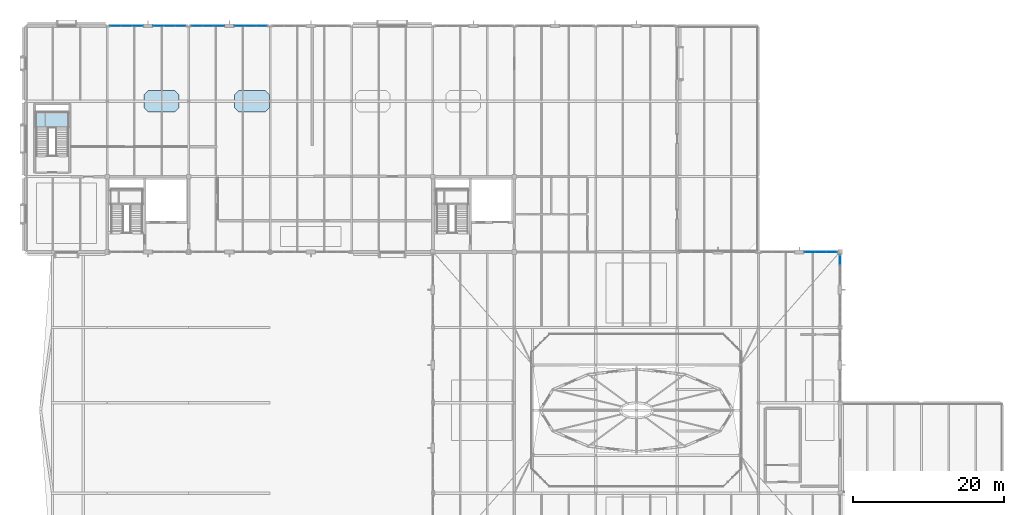
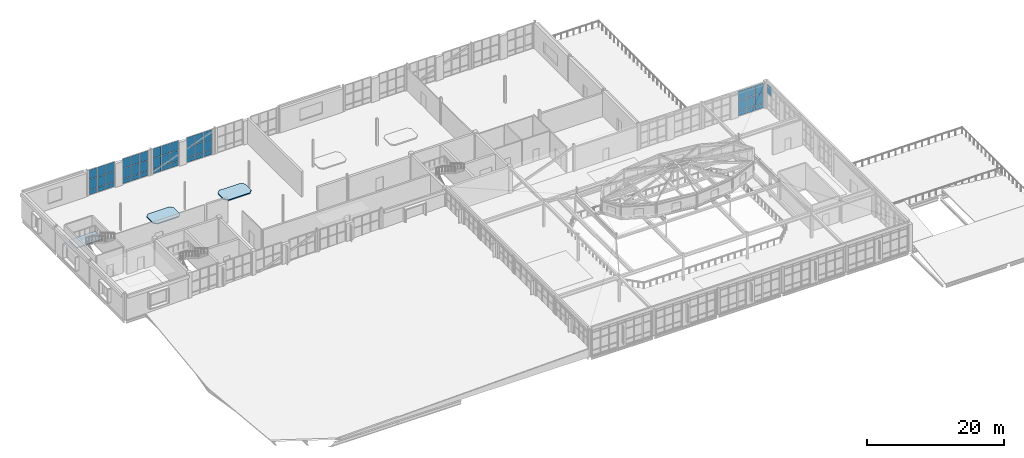
# One storey, part 63 of 86: 46 plates, 3 slabs, 7 elements without a shape of their own.
"""IFC4 building model written with IfcOpenShell, lengths in metres."""

import ifcopenshell
import ifcopenshell.guid

model = None  # the IFC model being written
_history = None  # IfcOwnerHistory: only IFC2X3 demands one
_inside = {}  # id of a spatial element -> (the spatial element, [elements in it])
_under = {}  # id of a project, library or spatial element -> (it, [spatial elements below it])
_declared = {}  # id of a project -> (the project, [libraries it declares])
_typed = {}  # id of a type object -> (the type object, [elements of that type])
_made_of = {}  # id of a material, layer set ... -> (it, [elements and type objects made of it])


def new_model(schema):
    """Start an empty IFC model of exactly this schema.

    Asked for "IFC4X3", IfcOpenShell would pick the latest addendum, in which some entities
    have other attributes; the version numbers below select the first issue.
    IFC2X3 requires an IfcOwnerHistory on every rooted entity: one is made here for all.
    """
    global model, _history
    if schema == "IFC4X3":
        model = ifcopenshell.file(schema_version=(4, 3, 0, 0))
    else:
        model = ifcopenshell.file(schema=schema)
    _inside.clear()
    _under.clear()
    _declared.clear()
    _typed.clear()
    _made_of.clear()
    _history = None
    if model.schema == "IFC2X3":
        org = make("IfcOrganization", Name="unknown")
        user = make(
            "IfcPersonAndOrganization",
            ThePerson=make("IfcPerson", FamilyName="unknown"),
            TheOrganization=org,
        )
        app = make(
            "IfcApplication",
            ApplicationDeveloper=org,
            Version="unknown",
            ApplicationFullName="unknown",
            ApplicationIdentifier="unknown",
        )
        _history = make(
            "IfcOwnerHistory",
            OwningUser=user,
            OwningApplication=app,
            ChangeAction="ADDED",
            CreationDate=0,
        )
    return model


def make(cls, **values):
    """One entity of the class cls with the attributes given. An attribute that is None is left unset."""
    return model.create_entity(
        cls, **{name: value for name, value in values.items() if value is not None}
    )


def rooted(cls, **values):
    """An entity with a GlobalId (a new one), such as an element, a storey or a relation."""
    return make(cls, GlobalId=ifcopenshell.guid.new(), OwnerHistory=_history, **values)


def si_unit(unit_type, name, prefix=None):
    """IfcSIUnit, for example si_unit("LENGTHUNIT", "METRE", prefix="MILLI")."""
    return make("IfcSIUnit", UnitType=unit_type, Prefix=prefix, Name=name)


def assignment(units):
    """IfcUnitAssignment: the units of a project."""
    return None if units is None else make("IfcUnitAssignment", Units=units)


def point(xyz):
    """IfcCartesianPoint."""
    return None if xyz is None else make("IfcCartesianPoint", Coordinates=xyz)


def direction(xyz):
    """IfcDirection."""
    return None if xyz is None else make("IfcDirection", DirectionRatios=xyz)


def frame(location, z_axis=None, x_axis=None):
    """IfcAxis2Placement3D, a coordinate frame: its origin and axes. An axis left out is left unset."""
    return make(
        "IfcAxis2Placement3D",
        Location=point(location),
        Axis=direction(z_axis),
        RefDirection=direction(x_axis),
    )


def frame_2d(location, x_axis=None):
    """IfcAxis2Placement2D, a coordinate frame in the plane: its origin and x axis."""
    return make(
        "IfcAxis2Placement2D", Location=point(location), RefDirection=direction(x_axis)
    )


def origin():
    """The frame at (0, 0, 0) with its axes left unset."""
    return frame((0.0, 0.0, 0.0))


def origin_2d():
    """The frame at (0, 0) in the plane with its x axis left unset."""
    return frame_2d((0.0, 0.0))


def place(relative_to, where):
    """IfcLocalPlacement: puts the frame where relative to a parent placement (None: the world)."""
    return make(
        "IfcLocalPlacement", PlacementRelTo=relative_to, RelativePlacement=where
    )


def context(
    kind, dimensions, precision=None, world=None, true_north=None, identifier=None
):
    """IfcGeometricRepresentationContext, for example the 3D "Model" context."""
    return make(
        "IfcGeometricRepresentationContext",
        ContextIdentifier=identifier,
        ContextType=kind,
        CoordinateSpaceDimension=dimensions,
        Precision=precision,
        WorldCoordinateSystem=world,
        TrueNorth=true_north,
    )


def subcontext(parent, identifier, kind, view, scale=None):
    """IfcGeometricRepresentationSubContext, for example "Body" below "Model"."""
    return make(
        "IfcGeometricRepresentationSubContext",
        ContextIdentifier=identifier,
        ContextType=kind,
        ParentContext=parent,
        TargetScale=scale,
        TargetView=view,
    )


def project(units=None, contexts=None):
    """IfcProject with its units and contexts."""
    return rooted(
        "IfcProject",
        Name="project",
        RepresentationContexts=contexts,
        UnitsInContext=assignment(units),
    )


def spatial(cls, under=None, at=None, **own):
    """A site, building, storey or space (cls), placed at a placement, below another one or the project."""
    s = rooted(cls, ObjectPlacement=at, **own)
    if under is not None:
        _under.setdefault(under.id(), (under, []))[1].append(s)
    return s


def polyline(points):
    """IfcPolyline through the points."""
    return make("IfcPolyline", Points=[point(p) for p in points])


def profile(cls, at=None, kind="AREA", **sizes):
    """A parametric profile (cls). Its sizes go by their IFC names, for example OverallWidth=200.0."""
    return make(cls, ProfileType=kind, Position=at, **sizes)


def rectangle(**sizes):
    """IfcRectangleProfileDef."""
    return profile("IfcRectangleProfileDef", **sizes)


def outline(outer, holes=None, kind="AREA"):
    """IfcArbitraryClosedProfileDef: a profile drawn as a closed curve; with holes, ...WithVoids."""
    if holes is None:
        return make("IfcArbitraryClosedProfileDef", ProfileType=kind, OuterCurve=outer)
    return make(
        "IfcArbitraryProfileDefWithVoids",
        ProfileType=kind,
        OuterCurve=outer,
        InnerCurves=holes,
    )


def extrude(swept, where, along, depth):
    """IfcExtrudedAreaSolid: the profile swept, set in the frame where, extruded along a direction by depth."""
    return make(
        "IfcExtrudedAreaSolid",
        SweptArea=swept,
        Position=where,
        ExtrudedDirection=direction(along),
        Depth=depth,
    )


def shape(context_of_items, identifier, shape_type, items):
    """IfcShapeRepresentation: the items that make up one representation, for example the "Body"."""
    return make(
        "IfcShapeRepresentation",
        ContextOfItems=context_of_items,
        RepresentationIdentifier=identifier,
        RepresentationType=shape_type,
        Items=items,
    )


def material(Name=None, Category=None):
    """IfcMaterial."""
    return make("IfcMaterial", Name=Name, Category=Category)


def layer(
    of_material, thickness, ventilated=None, Name=None, Category=None, Priority=None
):
    """IfcMaterialLayer: one layer of a wall or slab, of a material (None: an air gap)."""
    return make(
        "IfcMaterialLayer",
        Material=of_material,
        LayerThickness=thickness,
        IsVentilated=ventilated,
        Name=Name,
        Category=Category,
        Priority=Priority,
    )


def layer_set(layers, Name=None):
    """IfcMaterialLayerSet."""
    return make("IfcMaterialLayerSet", MaterialLayers=layers, LayerSetName=Name)


def made_of(thing, what):
    """Note that an element or type object is made of a material, layer set ...; save() writes the relation."""
    if what is not None:
        _made_of.setdefault(what.id(), (what, []))[1].append(thing)
    return thing


def type_object(cls, material=None, **own):
    """A type object (cls), such as IfcWallType, which elements share."""
    return made_of(rooted(cls, **own), material)


def element(
    cls,
    number,
    at=None,
    inside=None,
    cuts=None,
    type_object=None,
    material=None,
    context=None,
    identifier="Body",
    shape_type=None,
    held_by="IfcProductDefinitionShape",
    body=None,
    shapes=None,
    **own,
):
    """One element of the class cls, such as IfcWall. Its Tag is "e" and its number.

    at: its placement. inside: the storey or other place that contains it. cuts: it is an
    opening in that element (IfcRelVoidsElement). A single representation is given by context,
    identifier, shape_type and body (its items); several are given by shapes. held_by: the class
    of the entity that holds the representations. save() writes the other relations.
    """
    e = rooted(cls, Tag="e%d" % number, ObjectPlacement=at, **own)
    if body is not None:
        shapes = [shape(context, identifier, shape_type, body)]
    if shapes is not None:
        e.Representation = make(held_by, Representations=shapes)
    if inside is not None:
        _inside.setdefault(inside.id(), (inside, []))[1].append(e)
    if cuts is not None:
        rooted(
            "IfcRelVoidsElement", RelatingBuildingElement=cuts, RelatedOpeningElement=e
        )
    if type_object is not None:
        _typed.setdefault(type_object.id(), (type_object, []))[1].append(e)
    return made_of(e, material)


def aggregate(whole, parts):
    """IfcRelAggregates: a whole, such as a stair, and the parts it consists of."""
    return rooted("IfcRelAggregates", RelatingObject=whole, RelatedObjects=parts)


def save(model, path):
    """Write the relations noted so far, then the file.

    IfcRelAggregates (storeys below a building ...), IfcRelContainedInSpatialStructure (elements
    in a storey), IfcRelDefinesByType, IfcRelAssociatesMaterial and IfcRelDeclares: one each for
    every whole, place, type object, material and project.
    """
    for whole, parts in _under.values():
        aggregate(whole, parts)
    for where, things in _inside.values():
        rooted(
            "IfcRelContainedInSpatialStructure",
            RelatedElements=things,
            RelatingStructure=where,
        )
    for kind, things in _typed.values():
        rooted("IfcRelDefinesByType", RelatedObjects=things, RelatingType=kind)
    for what, things in _made_of.values():
        rooted("IfcRelAssociatesMaterial", RelatedObjects=things, RelatingMaterial=what)
    for by, libraries in _declared.values():
        rooted("IfcRelDeclares", RelatingContext=by, RelatedDefinitions=libraries)
    model.write(path)


model = new_model("IFC4")

# Units and contexts
model_context = context("Model", 3, precision=1e-05, world=origin(), true_north=direction((0.0, 1.0)))
body_context = subcontext(model_context, "Body", "Model", "MODEL_VIEW")
ifc_project = project(units=[si_unit("LENGTHUNIT", "METRE"), si_unit("AREAUNIT", "SQUARE_METRE"), si_unit("VOLUMEUNIT", "CUBIC_METRE"), si_unit("PLANEANGLEUNIT", "RADIAN"), si_unit("MASSUNIT", "GRAM", prefix="KILO")], contexts=[model_context])

# Site, building, storey
site_placement = place(None, origin())
site = spatial("IfcSite", under=ifc_project, at=site_placement, CompositionType="ELEMENT")
building_placement = place(site_placement, origin())
building = spatial("IfcBuilding", under=site, at=building_placement, Name="Tasgan Crest Museum", CompositionType="ELEMENT")
storey_placement = place(building_placement, frame((0.0, 0.0, 24.0)))
storey = spatial("IfcBuildingStorey", under=building, at=storey_placement, Name="L04", CompositionType="ELEMENT", Elevation=24.0)

# Curtain wall, plates
ifc_material_1 = material(Name="Triple-Glazed Aluminium Curtain Wall", Category="aluminium")
ifc_layer_1 = layer(ifc_material_1, 0.179931640625, Name="CW-DRUM-X-48")
ifc_layer_set_1 = layer_set([ifc_layer_1], Name="Triple-Glazed Aluminium Curtain Wall")
curtain_wall_type_1 = type_object("IfcCurtainWallType", Name="CW-DRUM-X-48", PredefinedType="NOTDEFINED", material=ifc_layer_set_1)
curtain_wall_1_placement = place(storey_placement, origin())
curtain_wall_1 = element("IfcCurtainWall", 1, at=curtain_wall_1_placement, inside=storey, type_object=curtain_wall_type_1, Name="Curtain wall L04 155", PredefinedType="NOTDEFINED")
ifc_material_2 = material(Name="Insulated Spandrel Glass", Category="glass")
ifc_layer_2 = layer(ifc_material_2, 0.052001953125, Name="CW-PANEL-SPANDREL")
ifc_layer_set_2 = layer_set([ifc_layer_2], Name="Insulated Spandrel Glass")
plate_type_1 = type_object("IfcPlateType", Name="CW-PANEL-SPANDREL", PredefinedType="CURTAIN_PANEL", material=ifc_layer_set_2)
plate_1_placement = place(storey_placement, frame((106.888427734375, 82.0, 0.06005859375), z_axis=(0.0, 0.0, 1.0), x_axis=(-1.0, 0.0, 0.0)))
plate_1 = element("IfcPlate", 2, at=plate_1_placement, type_object=plate_type_1, Name="CW03 panel 1.1", PredefinedType="CURTAIN_PANEL", context=body_context, shape_type="SweptSolid", body=[
    extrude(rectangle(XDim=1.373291015625, YDim=0.028076171875, at=origin_2d()), origin(), (0.0, 0.0, 1.0), 0.81005859375),
])
plate_2_placement = place(storey_placement, frame((105.43994140625, 82.0, 0.06005859375), z_axis=(0.0, 0.0, 1.0), x_axis=(-1.0, 0.0, 0.0)))
plate_2 = element("IfcPlate", 3, at=plate_2_placement, type_object=plate_type_1, Name="CW03 panel 2.1", PredefinedType="CURTAIN_PANEL", context=body_context, shape_type="SweptSolid", body=[
    extrude(rectangle(XDim=1.4033203125, YDim=0.028076171875, at=origin_2d()), origin(), (0.0, 0.0, 1.0), 0.81005859375),
])
plate_3_placement = place(storey_placement, frame((103.99169921875, 82.0, 0.06005859375), z_axis=(0.0, 0.0, 1.0), x_axis=(-1.0, 0.0, 0.0)))
plate_3 = element("IfcPlate", 4, at=plate_3_placement, type_object=plate_type_1, Name="CW03 panel 3.1", PredefinedType="CURTAIN_PANEL", context=body_context, shape_type="SweptSolid", body=[
    extrude(rectangle(XDim=1.373291015625, YDim=0.028076171875, at=origin_2d()), origin(), (0.0, 0.0, 1.0), 0.81005859375),
])

ifc_material_3 = material(Name="Triple-Glazed Aluminium Curtain Wall", Category="aluminium")
ifc_layer_3 = layer(ifc_material_3, 0.179931640625, Name="CW-GAL-X-48")
ifc_layer_set_3 = layer_set([ifc_layer_3], Name="Triple-Glazed Aluminium Curtain Wall")
curtain_wall_type_2 = type_object("IfcCurtainWallType", Name="CW-GAL-X-48", PredefinedType="NOTDEFINED", material=ifc_layer_set_3)
curtain_wall_2_placement = place(storey_placement, origin())
curtain_wall_2 = element("IfcCurtainWall", 5, at=curtain_wall_2_placement, inside=storey, type_object=curtain_wall_type_2, Name="Curtain wall L04 167", PredefinedType="NOTDEFINED")
plate_4_placement = place(storey_placement, frame((31.288330078125, 112.0, 0.06005859375), z_axis=(0.0, 0.0, 1.0), x_axis=(-1.0, 0.0, 0.0)))
plate_4 = element("IfcPlate", 6, at=plate_4_placement, type_object=plate_type_1, Name="CW13 panel 1.1", PredefinedType="CURTAIN_PANEL", context=body_context, shape_type="SweptSolid", body=[
    extrude(rectangle(XDim=1.373291015625, YDim=0.028076171875, at=origin_2d()), origin(), (0.0, 0.0, 1.0), 0.81005859375),
])
plate_5_placement = place(storey_placement, frame((29.840087890625, 112.0, 0.06005859375), z_axis=(0.0, 0.0, 1.0), x_axis=(-1.0, 0.0, 0.0)))
plate_5 = element("IfcPlate", 7, at=plate_5_placement, type_object=plate_type_1, Name="CW13 panel 2.1", PredefinedType="CURTAIN_PANEL", context=body_context, shape_type="SweptSolid", body=[
    extrude(rectangle(XDim=1.4033203125, YDim=0.028076171875, at=origin_2d()), origin(), (0.0, 0.0, 1.0), 0.81005859375),
])
plate_6_placement = place(storey_placement, frame((28.3916015625, 112.0, 0.06005859375), z_axis=(0.0, 0.0, 1.0), x_axis=(-1.0, 0.0, 0.0)))
plate_6 = element("IfcPlate", 8, at=plate_6_placement, type_object=plate_type_1, Name="CW13 panel 3.1", PredefinedType="CURTAIN_PANEL", context=body_context, shape_type="SweptSolid", body=[
    extrude(rectangle(XDim=1.373291015625, YDim=0.028076171875, at=origin_2d()), origin(), (0.0, 0.0, 1.0), 0.81005859375),
])

curtain_wall_3_placement = place(storey_placement, origin())
curtain_wall_3 = element("IfcCurtainWall", 9, at=curtain_wall_3_placement, inside=storey, type_object=curtain_wall_type_2, Name="Curtain wall L04 168", PredefinedType="NOTDEFINED")
plate_7_placement = place(storey_placement, frame((25.6083984375, 112.0, 0.06005859375), z_axis=(0.0, 0.0, 1.0), x_axis=(-1.0, 0.0, 0.0)))
plate_7 = element("IfcPlate", 10, at=plate_7_placement, type_object=plate_type_1, Name="CW13 panel 1.1", PredefinedType="CURTAIN_PANEL", context=body_context, shape_type="SweptSolid", body=[
    extrude(rectangle(XDim=1.373291015625, YDim=0.028076171875, at=origin_2d()), origin(), (0.0, 0.0, 1.0), 0.81005859375),
])
plate_8_placement = place(storey_placement, frame((24.159912109375, 112.0, 0.06005859375), z_axis=(0.0, 0.0, 1.0), x_axis=(-1.0, 0.0, 0.0)))
plate_8 = element("IfcPlate", 11, at=plate_8_placement, type_object=plate_type_1, Name="CW13 panel 2.1", PredefinedType="CURTAIN_PANEL", context=body_context, shape_type="SweptSolid", body=[
    extrude(rectangle(XDim=1.4033203125, YDim=0.028076171875, at=origin_2d()), origin(), (0.0, 0.0, 1.0), 0.81005859375),
])
plate_9_placement = place(storey_placement, frame((22.711669921875, 112.0, 0.06005859375), z_axis=(0.0, 0.0, 1.0), x_axis=(-1.0, 0.0, 0.0)))
plate_9 = element("IfcPlate", 12, at=plate_9_placement, type_object=plate_type_1, Name="CW13 panel 3.1", PredefinedType="CURTAIN_PANEL", context=body_context, shape_type="SweptSolid", body=[
    extrude(rectangle(XDim=1.373291015625, YDim=0.028076171875, at=origin_2d()), origin(), (0.0, 0.0, 1.0), 0.81005859375),
])

ifc_material_4 = material(Name="Triple-Glazed Aluminium Curtain Wall", Category="aluminium")
ifc_layer_4 = layer(ifc_material_4, 0.179931640625, Name="CW-CORE-STRIP-48")
ifc_layer_set_4 = layer_set([ifc_layer_4], Name="Triple-Glazed Aluminium Curtain Wall")
curtain_wall_type_3 = type_object("IfcCurtainWallType", Name="CW-CORE-STRIP-48", PredefinedType="NOTDEFINED", material=ifc_layer_set_4)
curtain_wall_4_placement = place(storey_placement, origin())
curtain_wall_4 = element("IfcCurtainWall", 13, at=curtain_wall_4_placement, inside=storey, type_object=curtain_wall_type_3, Name="Curtain wall L04 169", PredefinedType="NOTDEFINED")
plate_10_placement = place(storey_placement, frame((20.48828125, 112.0, 0.06005859375), z_axis=(0.0, 0.0, 1.0), x_axis=(-1.0, 0.0, 0.0)))
plate_10 = element("IfcPlate", 14, at=plate_10_placement, type_object=plate_type_1, Name="CW19 panel 1.1", PredefinedType="CURTAIN_PANEL", context=body_context, shape_type="SweptSolid", body=[
    extrude(rectangle(XDim=1.373291015625, YDim=0.028076171875, at=origin_2d()), origin(), (0.0, 0.0, 1.0), 0.81005859375),
])
plate_11_placement = place(storey_placement, frame((19.0400390625, 112.0, 0.06005859375), z_axis=(0.0, 0.0, 1.0), x_axis=(-1.0, 0.0, 0.0)))
plate_11 = element("IfcPlate", 15, at=plate_11_placement, type_object=plate_type_1, Name="CW19 panel 2.1", PredefinedType="CURTAIN_PANEL", context=body_context, shape_type="SweptSolid", body=[
    extrude(rectangle(XDim=1.4033203125, YDim=0.028076171875, at=origin_2d()), origin(), (0.0, 0.0, 1.0), 0.81005859375),
])
plate_12_placement = place(storey_placement, frame((17.591552734375, 112.0, 0.06005859375), z_axis=(0.0, 0.0, 1.0), x_axis=(-1.0, 0.0, 0.0)))
plate_12 = element("IfcPlate", 16, at=plate_12_placement, type_object=plate_type_1, Name="CW19 panel 3.1", PredefinedType="CURTAIN_PANEL", context=body_context, shape_type="SweptSolid", body=[
    extrude(rectangle(XDim=1.373291015625, YDim=0.028076171875, at=origin_2d()), origin(), (0.0, 0.0, 1.0), 0.81005859375),
])

curtain_wall_5_placement = place(storey_placement, origin())
curtain_wall_5 = element("IfcCurtainWall", 17, at=curtain_wall_5_placement, inside=storey, type_object=curtain_wall_type_3, Name="Curtain wall L04 170", PredefinedType="NOTDEFINED")
plate_13_placement = place(storey_placement, frame((14.808349609375, 112.0, 0.06005859375), z_axis=(0.0, 0.0, 1.0), x_axis=(-1.0, 0.0, 0.0)))
plate_13 = element("IfcPlate", 18, at=plate_13_placement, type_object=plate_type_1, Name="CW19 panel 1.1", PredefinedType="CURTAIN_PANEL", context=body_context, shape_type="SweptSolid", body=[
    extrude(rectangle(XDim=1.373291015625, YDim=0.028076171875, at=origin_2d()), origin(), (0.0, 0.0, 1.0), 0.81005859375),
])
plate_14_placement = place(storey_placement, frame((13.360107421875, 112.0, 0.06005859375), z_axis=(0.0, 0.0, 1.0), x_axis=(-1.0, 0.0, 0.0)))
plate_14 = element("IfcPlate", 19, at=plate_14_placement, type_object=plate_type_1, Name="CW19 panel 2.1", PredefinedType="CURTAIN_PANEL", context=body_context, shape_type="SweptSolid", body=[
    extrude(rectangle(XDim=1.4033203125, YDim=0.028076171875, at=origin_2d()), origin(), (0.0, 0.0, 1.0), 0.81005859375),
])
plate_15_placement = place(storey_placement, frame((11.91162109375, 112.0, 0.06005859375), z_axis=(0.0, 0.0, 1.0), x_axis=(-1.0, 0.0, 0.0)))
plate_15 = element("IfcPlate", 20, at=plate_15_placement, type_object=plate_type_1, Name="CW19 panel 3.1", PredefinedType="CURTAIN_PANEL", context=body_context, shape_type="SweptSolid", body=[
    extrude(rectangle(XDim=1.373291015625, YDim=0.028076171875, at=origin_2d()), origin(), (0.0, 0.0, 1.0), 0.81005859375),
])

# Plate
ifc_material_5 = material(Name="Low-E Triple Glazing", Category="glass")
ifc_layer_5 = layer(ifc_material_5, 0.0439453125, Name="CW-PANEL-TRIPLE")
ifc_layer_set_5 = layer_set([ifc_layer_5], Name="Low-E Triple Glazing")
plate_type_2 = type_object("IfcPlateType", Name="CW-PANEL-TRIPLE", PredefinedType="CURTAIN_PANEL", material=ifc_layer_set_5)
plate_16_placement = place(storey_placement, frame((106.888427734375, 82.0, 0.93017578125), z_axis=(0.0, 0.0, 1.0), x_axis=(-1.0, 0.0, 0.0)))
plate_16 = element("IfcPlate", 21, at=plate_16_placement, type_object=plate_type_2, Name="CW03 panel 1.2", PredefinedType="CURTAIN_PANEL", context=body_context, shape_type="SweptSolid", body=[
    extrude(rectangle(XDim=1.373291015625, YDim=0.028076171875, at=origin_2d()), origin(), (0.0, 0.0, 1.0), 1.840087890625),
])

plate_17_placement = place(storey_placement, frame((106.888427734375, 82.0, 2.830078125), z_axis=(0.0, 0.0, 1.0), x_axis=(-1.0, 0.0, 0.0)))
plate_17 = element("IfcPlate", 22, at=plate_17_placement, type_object=plate_type_2, Name="CW03 panel 1.3", PredefinedType="CURTAIN_PANEL", context=body_context, shape_type="SweptSolid", body=[
    extrude(rectangle(XDim=1.373291015625, YDim=0.028076171875, at=origin_2d()), origin(), (0.0, 0.0, 1.0), 1.669921875),
])

plate_18_placement = place(storey_placement, frame((105.43994140625, 82.0, 0.93017578125), z_axis=(0.0, 0.0, 1.0), x_axis=(-1.0, 0.0, 0.0)))
plate_18 = element("IfcPlate", 23, at=plate_18_placement, type_object=plate_type_2, Name="CW03 panel 2.2", PredefinedType="CURTAIN_PANEL", context=body_context, shape_type="SweptSolid", body=[
    extrude(rectangle(XDim=1.4033203125, YDim=0.028076171875, at=origin_2d()), origin(), (0.0, 0.0, 1.0), 1.840087890625),
])

plate_19_placement = place(storey_placement, frame((105.43994140625, 82.0, 2.830078125), z_axis=(0.0, 0.0, 1.0), x_axis=(-1.0, 0.0, 0.0)))
plate_19 = element("IfcPlate", 24, at=plate_19_placement, type_object=plate_type_2, Name="CW03 panel 2.3", PredefinedType="CURTAIN_PANEL", context=body_context, shape_type="SweptSolid", body=[
    extrude(rectangle(XDim=1.4033203125, YDim=0.028076171875, at=origin_2d()), origin(), (0.0, 0.0, 1.0), 1.669921875),
])

plate_20_placement = place(storey_placement, frame((103.99169921875, 82.0, 0.93017578125), z_axis=(0.0, 0.0, 1.0), x_axis=(-1.0, 0.0, 0.0)))
plate_20 = element("IfcPlate", 25, at=plate_20_placement, type_object=plate_type_2, Name="CW03 panel 3.2", PredefinedType="CURTAIN_PANEL", context=body_context, shape_type="SweptSolid", body=[
    extrude(rectangle(XDim=1.373291015625, YDim=0.028076171875, at=origin_2d()), origin(), (0.0, 0.0, 1.0), 1.840087890625),
])

plate_21_placement = place(storey_placement, frame((103.99169921875, 82.0, 2.830078125), z_axis=(0.0, 0.0, 1.0), x_axis=(-1.0, 0.0, 0.0)))
plate_21 = element("IfcPlate", 26, at=plate_21_placement, type_object=plate_type_2, Name="CW03 panel 3.3", PredefinedType="CURTAIN_PANEL", context=body_context, shape_type="SweptSolid", body=[
    extrude(rectangle(XDim=1.373291015625, YDim=0.028076171875, at=origin_2d()), origin(), (0.0, 0.0, 1.0), 1.669921875),
])

aggregate(curtain_wall_1, [plate_1, plate_16, plate_17, plate_2, plate_18, plate_19, plate_3, plate_20, plate_21])

plate_22_placement = place(storey_placement, frame((31.288330078125, 112.0, 0.93017578125), z_axis=(0.0, 0.0, 1.0), x_axis=(-1.0, 0.0, 0.0)))
plate_22 = element("IfcPlate", 27, at=plate_22_placement, type_object=plate_type_2, Name="CW13 panel 1.2", PredefinedType="CURTAIN_PANEL", context=body_context, shape_type="SweptSolid", body=[
    extrude(rectangle(XDim=1.373291015625, YDim=0.028076171875, at=origin_2d()), origin(), (0.0, 0.0, 1.0), 1.840087890625),
])

plate_23_placement = place(storey_placement, frame((31.288330078125, 112.0, 2.830078125), z_axis=(0.0, 0.0, 1.0), x_axis=(-1.0, 0.0, 0.0)))
plate_23 = element("IfcPlate", 28, at=plate_23_placement, type_object=plate_type_2, Name="CW13 panel 1.3", PredefinedType="CURTAIN_PANEL", context=body_context, shape_type="SweptSolid", body=[
    extrude(rectangle(XDim=1.373291015625, YDim=0.028076171875, at=origin_2d()), origin(), (0.0, 0.0, 1.0), 1.669921875),
])

plate_24_placement = place(storey_placement, frame((29.840087890625, 112.0, 0.93017578125), z_axis=(0.0, 0.0, 1.0), x_axis=(-1.0, 0.0, 0.0)))
plate_24 = element("IfcPlate", 29, at=plate_24_placement, type_object=plate_type_2, Name="CW13 panel 2.2", PredefinedType="CURTAIN_PANEL", context=body_context, shape_type="SweptSolid", body=[
    extrude(rectangle(XDim=1.4033203125, YDim=0.028076171875, at=origin_2d()), origin(), (0.0, 0.0, 1.0), 1.840087890625),
])

plate_25_placement = place(storey_placement, frame((29.840087890625, 112.0, 2.830078125), z_axis=(0.0, 0.0, 1.0), x_axis=(-1.0, 0.0, 0.0)))
plate_25 = element("IfcPlate", 30, at=plate_25_placement, type_object=plate_type_2, Name="CW13 panel 2.3", PredefinedType="CURTAIN_PANEL", context=body_context, shape_type="SweptSolid", body=[
    extrude(rectangle(XDim=1.4033203125, YDim=0.028076171875, at=origin_2d()), origin(), (0.0, 0.0, 1.0), 1.669921875),
])

plate_26_placement = place(storey_placement, frame((28.3916015625, 112.0, 0.93017578125), z_axis=(0.0, 0.0, 1.0), x_axis=(-1.0, 0.0, 0.0)))
plate_26 = element("IfcPlate", 31, at=plate_26_placement, type_object=plate_type_2, Name="CW13 panel 3.2", PredefinedType="CURTAIN_PANEL", context=body_context, shape_type="SweptSolid", body=[
    extrude(rectangle(XDim=1.373291015625, YDim=0.028076171875, at=origin_2d()), origin(), (0.0, 0.0, 1.0), 1.840087890625),
])

plate_27_placement = place(storey_placement, frame((28.3916015625, 112.0, 2.830078125), z_axis=(0.0, 0.0, 1.0), x_axis=(-1.0, 0.0, 0.0)))
plate_27 = element("IfcPlate", 32, at=plate_27_placement, type_object=plate_type_2, Name="CW13 panel 3.3", PredefinedType="CURTAIN_PANEL", context=body_context, shape_type="SweptSolid", body=[
    extrude(rectangle(XDim=1.373291015625, YDim=0.028076171875, at=origin_2d()), origin(), (0.0, 0.0, 1.0), 1.669921875),
])

aggregate(curtain_wall_2, [plate_4, plate_22, plate_23, plate_5, plate_24, plate_25, plate_6, plate_26, plate_27])

plate_28_placement = place(storey_placement, frame((25.6083984375, 112.0, 0.93017578125), z_axis=(0.0, 0.0, 1.0), x_axis=(-1.0, 0.0, 0.0)))
plate_28 = element("IfcPlate", 33, at=plate_28_placement, type_object=plate_type_2, Name="CW13 panel 1.2", PredefinedType="CURTAIN_PANEL", context=body_context, shape_type="SweptSolid", body=[
    extrude(rectangle(XDim=1.373291015625, YDim=0.028076171875, at=origin_2d()), origin(), (0.0, 0.0, 1.0), 1.840087890625),
])

plate_29_placement = place(storey_placement, frame((25.6083984375, 112.0, 2.830078125), z_axis=(0.0, 0.0, 1.0), x_axis=(-1.0, 0.0, 0.0)))
plate_29 = element("IfcPlate", 34, at=plate_29_placement, type_object=plate_type_2, Name="CW13 panel 1.3", PredefinedType="CURTAIN_PANEL", context=body_context, shape_type="SweptSolid", body=[
    extrude(rectangle(XDim=1.373291015625, YDim=0.028076171875, at=origin_2d()), origin(), (0.0, 0.0, 1.0), 1.669921875),
])

plate_30_placement = place(storey_placement, frame((24.159912109375, 112.0, 0.93017578125), z_axis=(0.0, 0.0, 1.0), x_axis=(-1.0, 0.0, 0.0)))
plate_30 = element("IfcPlate", 35, at=plate_30_placement, type_object=plate_type_2, Name="CW13 panel 2.2", PredefinedType="CURTAIN_PANEL", context=body_context, shape_type="SweptSolid", body=[
    extrude(rectangle(XDim=1.4033203125, YDim=0.028076171875, at=origin_2d()), origin(), (0.0, 0.0, 1.0), 1.840087890625),
])

plate_31_placement = place(storey_placement, frame((24.159912109375, 112.0, 2.830078125), z_axis=(0.0, 0.0, 1.0), x_axis=(-1.0, 0.0, 0.0)))
plate_31 = element("IfcPlate", 36, at=plate_31_placement, type_object=plate_type_2, Name="CW13 panel 2.3", PredefinedType="CURTAIN_PANEL", context=body_context, shape_type="SweptSolid", body=[
    extrude(rectangle(XDim=1.4033203125, YDim=0.028076171875, at=origin_2d()), origin(), (0.0, 0.0, 1.0), 1.669921875),
])

plate_32_placement = place(storey_placement, frame((22.711669921875, 112.0, 0.93017578125), z_axis=(0.0, 0.0, 1.0), x_axis=(-1.0, 0.0, 0.0)))
plate_32 = element("IfcPlate", 37, at=plate_32_placement, type_object=plate_type_2, Name="CW13 panel 3.2", PredefinedType="CURTAIN_PANEL", context=body_context, shape_type="SweptSolid", body=[
    extrude(rectangle(XDim=1.373291015625, YDim=0.028076171875, at=origin_2d()), origin(), (0.0, 0.0, 1.0), 1.840087890625),
])

plate_33_placement = place(storey_placement, frame((22.711669921875, 112.0, 2.830078125), z_axis=(0.0, 0.0, 1.0), x_axis=(-1.0, 0.0, 0.0)))
plate_33 = element("IfcPlate", 38, at=plate_33_placement, type_object=plate_type_2, Name="CW13 panel 3.3", PredefinedType="CURTAIN_PANEL", context=body_context, shape_type="SweptSolid", body=[
    extrude(rectangle(XDim=1.373291015625, YDim=0.028076171875, at=origin_2d()), origin(), (0.0, 0.0, 1.0), 1.669921875),
])

aggregate(curtain_wall_3, [plate_7, plate_28, plate_29, plate_8, plate_30, plate_31, plate_9, plate_32, plate_33])

plate_34_placement = place(storey_placement, frame((20.48828125, 112.0, 0.93017578125), z_axis=(0.0, 0.0, 1.0), x_axis=(-1.0, 0.0, 0.0)))
plate_34 = element("IfcPlate", 39, at=plate_34_placement, type_object=plate_type_2, Name="CW19 panel 1.2", PredefinedType="CURTAIN_PANEL", context=body_context, shape_type="SweptSolid", body=[
    extrude(rectangle(XDim=1.373291015625, YDim=0.028076171875, at=origin_2d()), origin(), (0.0, 0.0, 1.0), 1.840087890625),
])

plate_35_placement = place(storey_placement, frame((20.48828125, 112.0, 2.830078125), z_axis=(0.0, 0.0, 1.0), x_axis=(-1.0, 0.0, 0.0)))
plate_35 = element("IfcPlate", 40, at=plate_35_placement, type_object=plate_type_2, Name="CW19 panel 1.3", PredefinedType="CURTAIN_PANEL", context=body_context, shape_type="SweptSolid", body=[
    extrude(rectangle(XDim=1.373291015625, YDim=0.028076171875, at=origin_2d()), origin(), (0.0, 0.0, 1.0), 1.669921875),
])

plate_36_placement = place(storey_placement, frame((19.0400390625, 112.0, 0.93017578125), z_axis=(0.0, 0.0, 1.0), x_axis=(-1.0, 0.0, 0.0)))
plate_36 = element("IfcPlate", 41, at=plate_36_placement, type_object=plate_type_2, Name="CW19 panel 2.2", PredefinedType="CURTAIN_PANEL", context=body_context, shape_type="SweptSolid", body=[
    extrude(rectangle(XDim=1.4033203125, YDim=0.028076171875, at=origin_2d()), origin(), (0.0, 0.0, 1.0), 1.840087890625),
])

plate_37_placement = place(storey_placement, frame((19.0400390625, 112.0, 2.830078125), z_axis=(0.0, 0.0, 1.0), x_axis=(-1.0, 0.0, 0.0)))
plate_37 = element("IfcPlate", 42, at=plate_37_placement, type_object=plate_type_2, Name="CW19 panel 2.3", PredefinedType="CURTAIN_PANEL", context=body_context, shape_type="SweptSolid", body=[
    extrude(rectangle(XDim=1.4033203125, YDim=0.028076171875, at=origin_2d()), origin(), (0.0, 0.0, 1.0), 1.669921875),
])

plate_38_placement = place(storey_placement, frame((17.591552734375, 112.0, 0.93017578125), z_axis=(0.0, 0.0, 1.0), x_axis=(-1.0, 0.0, 0.0)))
plate_38 = element("IfcPlate", 43, at=plate_38_placement, type_object=plate_type_2, Name="CW19 panel 3.2", PredefinedType="CURTAIN_PANEL", context=body_context, shape_type="SweptSolid", body=[
    extrude(rectangle(XDim=1.373291015625, YDim=0.028076171875, at=origin_2d()), origin(), (0.0, 0.0, 1.0), 1.840087890625),
])

plate_39_placement = place(storey_placement, frame((17.591552734375, 112.0, 2.830078125), z_axis=(0.0, 0.0, 1.0), x_axis=(-1.0, 0.0, 0.0)))
plate_39 = element("IfcPlate", 44, at=plate_39_placement, type_object=plate_type_2, Name="CW19 panel 3.3", PredefinedType="CURTAIN_PANEL", context=body_context, shape_type="SweptSolid", body=[
    extrude(rectangle(XDim=1.373291015625, YDim=0.028076171875, at=origin_2d()), origin(), (0.0, 0.0, 1.0), 1.669921875),
])

aggregate(curtain_wall_4, [plate_10, plate_34, plate_35, plate_11, plate_36, plate_37, plate_12, plate_38, plate_39])

plate_40_placement = place(storey_placement, frame((14.808349609375, 112.0, 0.93017578125), z_axis=(0.0, 0.0, 1.0), x_axis=(-1.0, 0.0, 0.0)))
plate_40 = element("IfcPlate", 45, at=plate_40_placement, type_object=plate_type_2, Name="CW19 panel 1.2", PredefinedType="CURTAIN_PANEL", context=body_context, shape_type="SweptSolid", body=[
    extrude(rectangle(XDim=1.373291015625, YDim=0.028076171875, at=origin_2d()), origin(), (0.0, 0.0, 1.0), 1.840087890625),
])

plate_41_placement = place(storey_placement, frame((14.808349609375, 112.0, 2.830078125), z_axis=(0.0, 0.0, 1.0), x_axis=(-1.0, 0.0, 0.0)))
plate_41 = element("IfcPlate", 46, at=plate_41_placement, type_object=plate_type_2, Name="CW19 panel 1.3", PredefinedType="CURTAIN_PANEL", context=body_context, shape_type="SweptSolid", body=[
    extrude(rectangle(XDim=1.373291015625, YDim=0.028076171875, at=origin_2d()), origin(), (0.0, 0.0, 1.0), 1.669921875),
])

plate_42_placement = place(storey_placement, frame((13.360107421875, 112.0, 0.93017578125), z_axis=(0.0, 0.0, 1.0), x_axis=(-1.0, 0.0, 0.0)))
plate_42 = element("IfcPlate", 47, at=plate_42_placement, type_object=plate_type_2, Name="CW19 panel 2.2", PredefinedType="CURTAIN_PANEL", context=body_context, shape_type="SweptSolid", body=[
    extrude(rectangle(XDim=1.4033203125, YDim=0.028076171875, at=origin_2d()), origin(), (0.0, 0.0, 1.0), 1.840087890625),
])

plate_43_placement = place(storey_placement, frame((13.360107421875, 112.0, 2.830078125), z_axis=(0.0, 0.0, 1.0), x_axis=(-1.0, 0.0, 0.0)))
plate_43 = element("IfcPlate", 48, at=plate_43_placement, type_object=plate_type_2, Name="CW19 panel 2.3", PredefinedType="CURTAIN_PANEL", context=body_context, shape_type="SweptSolid", body=[
    extrude(rectangle(XDim=1.4033203125, YDim=0.028076171875, at=origin_2d()), origin(), (0.0, 0.0, 1.0), 1.669921875),
])

plate_44_placement = place(storey_placement, frame((11.91162109375, 112.0, 0.93017578125), z_axis=(0.0, 0.0, 1.0), x_axis=(-1.0, 0.0, 0.0)))
plate_44 = element("IfcPlate", 49, at=plate_44_placement, type_object=plate_type_2, Name="CW19 panel 3.2", PredefinedType="CURTAIN_PANEL", context=body_context, shape_type="SweptSolid", body=[
    extrude(rectangle(XDim=1.373291015625, YDim=0.028076171875, at=origin_2d()), origin(), (0.0, 0.0, 1.0), 1.840087890625),
])

plate_45_placement = place(storey_placement, frame((11.91162109375, 112.0, 2.830078125), z_axis=(0.0, 0.0, 1.0), x_axis=(-1.0, 0.0, 0.0)))
plate_45 = element("IfcPlate", 50, at=plate_45_placement, type_object=plate_type_2, Name="CW19 panel 3.3", PredefinedType="CURTAIN_PANEL", context=body_context, shape_type="SweptSolid", body=[
    extrude(rectangle(XDim=1.373291015625, YDim=0.028076171875, at=origin_2d()), origin(), (0.0, 0.0, 1.0), 1.669921875),
])

aggregate(curtain_wall_5, [plate_13, plate_40, plate_41, plate_14, plate_42, plate_43, plate_15, plate_44, plate_45])

# Curtain wall, plate
ifc_material_6 = material(Name="Triple-Glazed Aluminium Curtain Wall", Category="aluminium")
ifc_layer_6 = layer(ifc_material_6, 0.179931640625, Name="CW-DRUM-Y10-48")
ifc_layer_set_6 = layer_set([ifc_layer_6], Name="Triple-Glazed Aluminium Curtain Wall")
curtain_wall_type_4 = type_object("IfcCurtainWallType", Name="CW-DRUM-Y10-48", PredefinedType="NOTDEFINED", material=ifc_layer_set_6)
curtain_wall_6_placement = place(storey_placement, origin())
curtain_wall_6 = element("IfcCurtainWall", 51, at=curtain_wall_6_placement, inside=storey, type_object=curtain_wall_type_4, Name="Curtain wall L04 200", PredefinedType="NOTDEFINED")
plate_46_placement = place(storey_placement, frame((108.0, 80.955078125, 2.830078125), z_axis=(0.0, 0.0, 1.0), x_axis=(0.0, 1.0, 0.0)))
plate_46 = element("IfcPlate", 52, at=plate_46_placement, type_object=plate_type_2, Name="CW04 panel 3.3", PredefinedType="CURTAIN_PANEL", context=body_context, shape_type="SweptSolid", body=[
    extrude(rectangle(XDim=1.239990234375, YDim=0.028076171875, at=origin_2d()), origin(), (0.0, 0.0, 1.0), 1.669921875),
])
aggregate(curtain_wall_6, [plate_46])

# Slabs
ifc_material_7 = material(Name="Concrete C35/45", Category="concrete")
ifc_layer_7 = layer(ifc_material_7, 0.159912109375, Name="SL-DAIS-T03")
ifc_layer_set_7 = layer_set([ifc_layer_7], Name="Concrete C35/45")
slab_type_1 = type_object("IfcSlabType", Name="SL-DAIS-T03", PredefinedType="FLOOR", material=ifc_layer_set_7)
slab_1_placement = place(storey_placement, origin())
element("IfcSlab", 53, at=slab_1_placement, inside=storey, type_object=slab_type_1, Name="Exhibition specimen dais L04-33", PredefinedType="FLOOR", context=body_context, shape_type="SweptSolid", body=[
    extrude(outline(polyline([(16.199951171875, 100.60009765625), (19.800048828125, 100.60009765625), (20.300048828125, 101.10009765625), (20.300048828125, 102.89990234375), (19.800048828125, 103.39990234375), (16.199951171875, 103.39990234375), (15.699951171875, 102.89990234375), (15.699951171875, 101.10009765625), (16.199951171875, 100.60009765625)])), origin(), (0.0, 0.0, 1.0), 0.159912109375),
])
ifc_material_8 = material(Name="Concrete C35/45", Category="concrete")
ifc_layer_8 = layer(ifc_material_8, 0.169921875, Name="SL-DAIS-T04")
ifc_layer_set_8 = layer_set([ifc_layer_8], Name="Concrete C35/45")
slab_type_2 = type_object("IfcSlabType", Name="SL-DAIS-T04", PredefinedType="FLOOR", material=ifc_layer_set_8)
slab_2_placement = place(storey_placement, origin())
element("IfcSlab", 54, at=slab_2_placement, inside=storey, type_object=slab_type_2, Name="Exhibition specimen dais L04-34", PredefinedType="FLOOR", context=body_context, shape_type="SweptSolid", body=[
    extrude(outline(polyline([(28.199951171875, 100.60009765625), (31.800048828125, 100.60009765625), (32.300048828125, 101.10009765625), (32.300048828125, 102.89990234375), (31.800048828125, 103.39990234375), (28.199951171875, 103.39990234375), (27.699951171875, 102.89990234375), (27.699951171875, 101.10009765625), (28.199951171875, 100.60009765625)])), origin(), (0.0, 0.0, 1.0), 0.169921875),
])

# Stair, slab
ifc_material_9 = material(Name="Concrete C35/45", Category="concrete")
stair_type = type_object("IfcStairType", Name="ST-CORE-48", PredefinedType="HALF_TURN_STAIR", material=ifc_material_9)
stair_placement = place(storey_placement, origin())
stair = element("IfcStair", 55, at=stair_placement, inside=storey, type_object=stair_type, Name="Stair ST-GW-L04 L04", PredefinedType="HALF_TURN_STAIR")
ifc_material_10 = material(Name="Concrete C35/45", Category="concrete")
ifc_layer_9 = layer(ifc_material_10, 0.199951171875, Name="SL-LAND-200")
ifc_layer_set_9 = layer_set([ifc_layer_9], Name="Concrete C35/45")
slab_type_3 = type_object("IfcSlabType", Name="SL-LAND-200", PredefinedType="LANDING", material=ifc_layer_set_9)
slab_3_placement = place(storey_placement, frame((0.0, 0.0, 2.199951171875)))
slab_3 = element("IfcSlab", 56, at=slab_3_placement, type_object=slab_type_3, Name="ST-GW-L04 landing 1", PredefinedType="LANDING", context=body_context, shape_type="SweptSolid", body=[
    extrude(outline(polyline([(1.300048828125, 98.405029296875), (5.699951171875, 98.405029296875), (5.699951171875, 100.655029296875), (1.300048828125, 100.655029296875), (1.300048828125, 98.405029296875)])), origin(), (0.0, 0.0, 1.0), 0.199951171875),
])
aggregate(stair, [slab_3])

save(model, "model.ifc")
